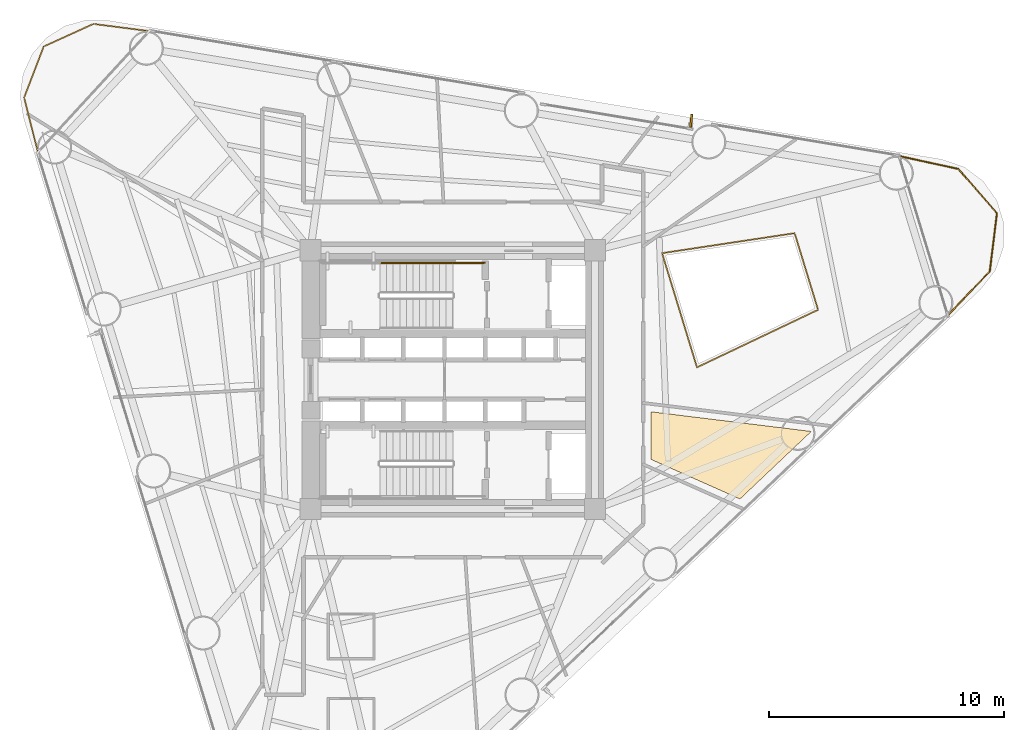
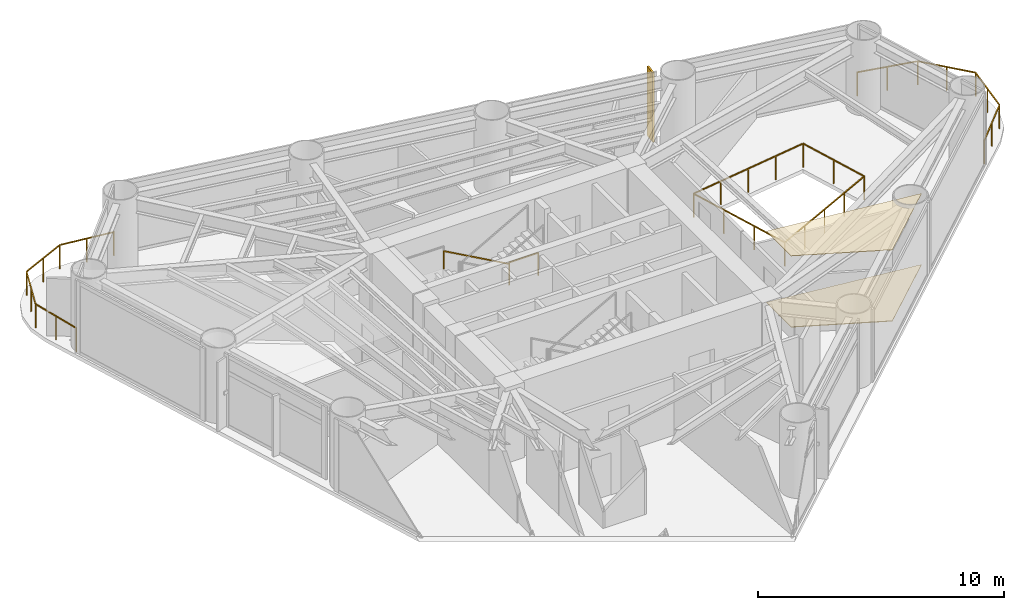
# One storey, part 10 of 10: 5 railings, 2 coverings, 1 shading device.
"""IFC4 building model written with IfcOpenShell, lengths in metres."""

from ifc_helpers import new_model, si_unit, direction, frame, origin, origin_2d, place, context, subcontext, project, spatial, polyline, rectangle, outline, extrude, source, transform, mapped, material, layer, layer_set, material_profile, profile_set, type_object, element, save


model = new_model("IFC4")

# Units and contexts
model_context = context("Model", 3, precision=1e-05, world=origin(), true_north=direction((0.0, 1.0)))
body_context = subcontext(model_context, "Body", "Model", "MODEL_VIEW")
ifc_project = project(units=[si_unit("LENGTHUNIT", "METRE"), si_unit("AREAUNIT", "SQUARE_METRE"), si_unit("VOLUMEUNIT", "CUBIC_METRE"), si_unit("PLANEANGLEUNIT", "RADIAN"), si_unit("MASSUNIT", "GRAM", prefix="KILO")], contexts=[model_context])

# Site, building, storey
site_placement = place(None, origin())
site = spatial("IfcSite", under=ifc_project, at=site_placement, CompositionType="ELEMENT")
building_placement = place(site_placement, origin())
building = spatial("IfcBuilding", under=site, at=building_placement, Name="Yunling Apex Tower", CompositionType="ELEMENT")
storey_placement = place(building_placement, frame((0.0, 0.0, 101.14990234375)))
storey = spatial("IfcBuildingStorey", under=building, at=storey_placement, Name="L25", CompositionType="ELEMENT", Elevation=101.14990234375)

# Coverings
ifc_material_1 = material(Name="Acoustic mineral fibre ceiling")
ifc_layer_1 = layer(ifc_material_1, 0.02490234375)
ifc_layer_set_1 = layer_set([ifc_layer_1], Name="Acoustic mineral fibre ceiling")
covering_type_1 = type_object("IfcCoveringType", Name="CV-CLG-1", PredefinedType="CEILING", material=ifc_layer_set_1)
covering_1_placement = place(storey_placement, frame((0.0, 0.0, 3.5400390625)))
element("IfcCovering", 1, at=covering_1_placement, inside=storey, type_object=covering_type_1, Name="CV-CL-SP-L25-R06", PredefinedType="CEILING", context=body_context, shape_type="SweptSolid", body=[
    extrude(outline(polyline([(15.240478515625, -2.203857421875), (12.21044921875, -5.0751953125), (8.429931640625, -3.39208984375), (8.429931640625, -1.36767578125), (15.240478515625, -2.203857421875)])), origin(), (0.0, 0.0, 1.0), 0.025146484375),
])
ifc_material_2 = material(Name="Polished granite stone", Category="masonry")
ifc_layer_2 = layer(ifc_material_2, 0.030029296875)
ifc_layer_set_2 = layer_set([ifc_layer_2], Name="Polished granite stone")
covering_type_2 = type_object("IfcCoveringType", Name="CV-FLR-1", PredefinedType="FLOORING", material=ifc_layer_set_2)
covering_2_placement = place(storey_placement, origin())
element("IfcCovering", 2, at=covering_2_placement, inside=storey, type_object=covering_type_2, Name="CV-FL-SP-L25-R06", PredefinedType="FLOORING", context=body_context, shape_type="SweptSolid", body=[
    extrude(outline(polyline([(15.240478515625, -2.203857421875), (12.21044921875, -5.0751953125), (8.429931640625, -3.39208984375), (8.429931640625, -1.36767578125), (15.240478515625, -2.203857421875)])), origin(), (0.0, 0.0, 1.0), 0.030029296875),
])

# Railings
ifc_material_3 = material(Name="Bronze anodised aluminium", Category="aluminium")
railing_type_1 = type_object("IfcRailingType", Name="RL-BAL-1200", PredefinedType="BALUSTRADE", material=ifc_material_3)
railing_1_placement = place(storey_placement, frame((18.976806640625, 9.5029296875, 0.0)))
element("IfcRailing", 3, at=railing_1_placement, inside=storey, type_object=railing_type_1, Name="RL-CRNSILL-L25-1", PredefinedType="BALUSTRADE", context=body_context, shape_type="SweptSolid", body=[
    extrude(rectangle(XDim=0.0439453125, YDim=0.0439453125, at=origin_2d()), origin(), (0.0, 0.0, 1.0), 1.199951171875),
    extrude(rectangle(XDim=0.0439453125, YDim=0.0439453125, at=origin_2d()), frame((2.5205078125, -0.54833984375, 0.0)), (0.0, 0.0, 1.0), 1.199951171875),
    extrude(rectangle(XDim=0.050048828125, YDim=0.050048828125, at=origin_2d()), frame((0.037353515625, -0.008056640625, 1.1748046875), z_axis=(0.977143892078, -0.212578959861, 0.0), x_axis=(0.212578959861, 0.977143892078, 0.0)), (0.0, 0.0, 1.0), 2.502685546875),
    extrude(rectangle(XDim=0.0439453125, YDim=0.0439453125, at=origin_2d()), frame((1.26025390625, -0.274169921875, 0.0)), (0.0, 0.0, 1.0), 1.14599609375),
    extrude(rectangle(XDim=0.0439453125, YDim=0.0439453125, at=origin_2d()), frame((4.156005859375, -2.430419921875, 0.0)), (0.0, 0.0, 1.0), 1.199951171875),
    extrude(rectangle(XDim=0.050048828125, YDim=0.050048828125, at=origin_2d()), frame((2.545654296875, -0.577392578125, 1.1748046875), z_axis=(0.655928991852, -0.754822600117, 0.0), x_axis=(0.754822600117, 0.655928991852, 0.0)), (0.0, 0.0, 1.0), 2.416748046875),
    extrude(rectangle(XDim=0.0439453125, YDim=0.0439453125, at=origin_2d()), frame((3.33837890625, -1.4892578125, 0.0)), (0.0, 0.0, 1.0), 1.14599609375),
    extrude(rectangle(XDim=0.0439453125, YDim=0.0439453125, at=origin_2d()), frame((3.8525390625, -4.905517578125, 0.0)), (0.0, 0.0, 1.0), 1.199951171875),
    extrude(rectangle(XDim=0.050048828125, YDim=0.050048828125, at=origin_2d()), frame((4.1513671875, -2.468505859375, 1.1748046875), z_axis=(-0.121696705052, -0.992567333726, 0.0), x_axis=(0.992567333726, -0.121696705052, 0.0)), (0.0, 0.0, 1.0), 2.4169921875),
    extrude(rectangle(XDim=0.0439453125, YDim=0.0439453125, at=origin_2d()), frame((4.00439453125, -3.66796875, 0.0)), (0.0, 0.0, 1.0), 1.14599609375),
    extrude(rectangle(XDim=0.0439453125, YDim=0.0439453125, at=origin_2d()), frame((2.06982421875, -6.76953125, 0.0)), (0.0, 0.0, 1.0), 1.199951171875),
    extrude(rectangle(XDim=0.050048828125, YDim=0.050048828125, at=origin_2d()), frame((3.825927734375, -4.93310546875, 1.1748046875), z_axis=(-0.691171065155, -0.722691191791, 0.0), x_axis=(0.722691191791, -0.691171065155, 0.0)), (0.0, 0.0, 1.0), 2.502685546875),
    extrude(rectangle(XDim=0.0439453125, YDim=0.0439453125, at=origin_2d()), frame((2.961181640625, -5.83740234375, 0.0)), (0.0, 0.0, 1.0), 1.14599609375),
])
railing_2_placement = place(storey_placement, frame((-17.63525390625, 9.6669921875, 0.0)))
element("IfcRailing", 4, at=railing_2_placement, inside=storey, type_object=railing_type_1, Name="RL-CRNSILL-L25-2", PredefinedType="BALUSTRADE", context=body_context, shape_type="SweptSolid", body=[
    extrude(rectangle(XDim=0.0439453125, YDim=0.0439453125, at=origin_2d()), origin(), (0.0, 0.0, 1.0), 1.199951171875),
    extrude(rectangle(XDim=0.0439453125, YDim=0.0439453125, at=origin_2d()), frame((-0.58642578125, 2.31884765625, 0.0)), (0.0, 0.0, 1.0), 1.199951171875),
    extrude(rectangle(XDim=0.050048828125, YDim=0.050048828125, at=origin_2d()), frame((-0.00927734375, 0.037109375, 1.1748046875), z_axis=(-0.245176585422, 0.96947843811, 0.0), x_axis=(-0.96947843811, -0.245176585422, 0.0)), (0.0, 0.0, 1.0), 2.315185546875),
    extrude(rectangle(XDim=0.0439453125, YDim=0.0439453125, at=origin_2d()), frame((-0.293212890625, 1.159423828125, 0.0)), (0.0, 0.0, 1.0), 1.14599609375),
    extrude(rectangle(XDim=0.0439453125, YDim=0.0439453125, at=origin_2d()), frame((0.2470703125, 4.49267578125, 0.0)), (0.0, 0.0, 1.0), 1.199951171875),
    extrude(rectangle(XDim=0.050048828125, YDim=0.050048828125, at=origin_2d()), frame((-0.57275390625, 2.354736328125, 1.1748046875), z_axis=(0.358009154452, 0.933718075935, 0.0), x_axis=(-0.933718075935, 0.358009154452, 0.0)), (0.0, 0.0, 1.0), 2.25146484375),
    extrude(rectangle(XDim=0.0439453125, YDim=0.0439453125, at=origin_2d()), frame((-0.169677734375, 3.40576171875, 0.0)), (0.0, 0.0, 1.0), 1.14599609375),
    extrude(rectangle(XDim=0.0439453125, YDim=0.0439453125, at=origin_2d()), frame((2.359375, 5.453369140625, 0.0)), (0.0, 0.0, 1.0), 1.199951171875),
    extrude(rectangle(XDim=0.050048828125, YDim=0.050048828125, at=origin_2d()), frame((0.281982421875, 4.508544921875, 1.1748046875), z_axis=(0.910276378893, 0.4140011039, 0.0), x_axis=(-0.4140011039, 0.910276378893, 0.0)), (0.0, 0.0, 1.0), 2.243896484375),
    extrude(rectangle(XDim=0.0439453125, YDim=0.0439453125, at=origin_2d()), frame((1.30322265625, 4.97314453125, 0.0)), (0.0, 0.0, 1.0), 1.14599609375),
    extrude(rectangle(XDim=0.0439453125, YDim=0.0439453125, at=origin_2d()), frame((4.732666015625, 5.14794921875, 0.0)), (0.0, 0.0, 1.0), 1.199951171875),
    extrude(rectangle(XDim=0.050048828125, YDim=0.050048828125, at=origin_2d()), frame((2.3974609375, 5.448486328125, 1.1748046875), z_axis=(0.991820835982, -0.127637883532, 0.0), x_axis=(0.127637883532, 0.991820835982, 0.0)), (0.0, 0.0, 1.0), 2.316162109375),
    extrude(rectangle(XDim=0.0439453125, YDim=0.0439453125, at=origin_2d()), frame((3.5458984375, 5.30078125, 0.0)), (0.0, 0.0, 1.0), 1.14599609375),
])
railing_3_placement = place(storey_placement, frame((8.897216796875, 5.375244140625, 0.0)))
element("IfcRailing", 5, at=railing_3_placement, inside=storey, type_object=railing_type_1, Name="RL-TATR-L25", PredefinedType="BALUSTRADE", context=body_context, shape_type="SweptSolid", body=[
    extrude(rectangle(XDim=0.0439453125, YDim=0.0439453125, at=origin_2d()), origin(), (0.0, 0.0, 1.0), 1.199951171875),
    extrude(rectangle(XDim=0.0439453125, YDim=0.0439453125, at=origin_2d()), frame((5.637939453125, 0.849853515625, 0.0)), (0.0, 0.0, 1.0), 1.199951171875),
    extrude(rectangle(XDim=0.050048828125, YDim=0.050048828125, at=origin_2d()), frame((0.037841796875, 0.005615234375, 1.1748046875), z_axis=(0.988828994204, 0.149054420336, 0.0), x_axis=(-0.149054420336, 0.988828994204, 0.0)), (0.0, 0.0, 1.0), 5.625),
    extrude(rectangle(XDim=0.0439453125, YDim=0.0439453125, at=origin_2d()), frame((1.409423828125, 0.21240234375, 0.0)), (0.0, 0.0, 1.0), 1.14599609375),
    extrude(rectangle(XDim=0.0439453125, YDim=0.0439453125, at=origin_2d()), frame((2.81884765625, 0.4248046875, 0.0)), (0.0, 0.0, 1.0), 1.14599609375),
    extrude(rectangle(XDim=0.0439453125, YDim=0.0439453125, at=origin_2d()), frame((4.228515625, 0.637451171875, 0.0)), (0.0, 0.0, 1.0), 1.14599609375),
    extrude(rectangle(XDim=0.0439453125, YDim=0.0439453125, at=origin_2d()), frame((6.6337890625, -2.408203125, 0.0)), (0.0, 0.0, 1.0), 1.199951171875),
    extrude(rectangle(XDim=0.050048828125, YDim=0.050048828125, at=origin_2d()), frame((5.649169921875, 0.813232421875, 1.1748046875), z_axis=(0.292307744699, -0.956324308166, 0.0), x_axis=(0.956324308166, 0.292307744699, 0.0)), (0.0, 0.0, 1.0), 3.330078125),
    extrude(rectangle(XDim=0.0439453125, YDim=0.0439453125, at=origin_2d()), frame((6.1357421875, -0.779296875, 0.0)), (0.0, 0.0, 1.0), 1.14599609375),
    extrude(rectangle(XDim=0.0439453125, YDim=0.0439453125, at=origin_2d()), frame((1.484619140625, -4.856201171875, 0.0)), (0.0, 0.0, 1.0), 1.199951171875),
    extrude(rectangle(XDim=0.050048828125, YDim=0.050048828125, at=origin_2d()), frame((6.59912109375, -2.424560546875, 1.1748046875), z_axis=(-0.903131826937, -0.429363369622, 0.0), x_axis=(0.429363369622, -0.903131826937, 0.0)), (0.0, 0.0, 1.0), 5.624755859375),
    extrude(rectangle(XDim=0.0439453125, YDim=0.0439453125, at=origin_2d()), frame((5.346435546875, -3.020263671875, 0.0)), (0.0, 0.0, 1.0), 1.14599609375),
    extrude(rectangle(XDim=0.0439453125, YDim=0.0439453125, at=origin_2d()), frame((4.05908203125, -3.63232421875, 0.0)), (0.0, 0.0, 1.0), 1.14599609375),
    extrude(rectangle(XDim=0.0439453125, YDim=0.0439453125, at=origin_2d()), frame((2.77197265625, -4.244140625, 0.0)), (0.0, 0.0, 1.0), 1.14599609375),
    extrude(rectangle(XDim=0.050048828125, YDim=0.050048828125, at=origin_2d()), frame((1.473388671875, -4.819580078125, 1.1748046875), z_axis=(-0.292358998686, 0.956308640496, 0.0), x_axis=(-0.956308640496, -0.292358998686, 0.0)), (0.0, 0.0, 1.0), 5.00146484375),
    extrude(rectangle(XDim=0.0439453125, YDim=0.0439453125, at=origin_2d()), frame((0.98974609375, -3.237548828125, 0.0)), (0.0, 0.0, 1.0), 1.14599609375),
    extrude(rectangle(XDim=0.0439453125, YDim=0.0439453125, at=origin_2d()), frame((0.494873046875, -1.61865234375, 0.0)), (0.0, 0.0, 1.0), 1.14599609375),
])
ifc_material_4 = material(Name="Steel Q355B", Category="steel")
railing_type_2 = type_object("IfcRailingType", Name="RL-GRD-1150", PredefinedType="GUARDRAIL", material=ifc_material_4)
railing_4_placement = place(storey_placement, frame((1.35009765625, 4.9599609375, 0.0)))
element("IfcRailing", 6, at=railing_4_placement, inside=storey, type_object=railing_type_2, Name="L25 ST-1 stair guard 6", PredefinedType="GUARDRAIL", context=body_context, shape_type="SweptSolid", body=[
    extrude(rectangle(XDim=0.0439453125, YDim=0.0439453125, at=origin_2d()), origin(), (0.0, 0.0, 1.0), 1.14990234375),
    extrude(rectangle(XDim=0.0439453125, YDim=0.0439453125, at=origin_2d()), frame((-1.360107421875, 0.0, 0.0)), (0.0, 0.0, 1.0), 1.14990234375),
    extrude(rectangle(XDim=0.050048828125, YDim=0.050048828125, at=origin_2d()), frame((-0.038330078125, 0.0, 1.125), z_axis=(-1.0, 0.0, 0.0), x_axis=(0.0, -1.0, 0.0)), (0.0, 0.0, 1.0), 1.283447265625),
])
ifc_material_5 = material(Name="Silver anodised aluminium", Category="aluminium")
railing_type_3 = type_object("IfcRailingType", Name="RL-HND-900", PredefinedType="HANDRAIL", material=ifc_material_5)
railing_5_placement = place(storey_placement, frame((-0.010009765625, 4.9599609375, 0.15625)))
element("IfcRailing", 7, at=railing_5_placement, inside=storey, type_object=railing_type_3, Name="L25 ST-1 stair handrail 1", PredefinedType="HANDRAIL", context=body_context, shape_type="SweptSolid", body=[
    extrude(rectangle(XDim=0.0439453125, YDim=0.0439453125, at=origin_2d()), origin(), (0.0, 0.0, 1.0), 0.919921875),
    extrude(rectangle(XDim=0.0439453125, YDim=0.0439453125, at=origin_2d()), frame((-3.080078125, 0.0, 1.71875)), (0.0, 0.0, 1.0), 0.919921875),
    extrude(rectangle(XDim=0.050048828125, YDim=0.050048828125, at=origin_2d()), frame((-0.033447265625, 0.0, 0.91357421875), z_axis=(-0.873241540666, 0.0, 0.487287606713), x_axis=(0.0, -1.0, 0.0)), (0.0, 0.0, 1.0), 3.450439453125),
])

# Shading device
ifc_material_profile = material_profile(ifc_material_3, rectangle(XDim=0.0849609375, YDim=0.550048828125, at=origin_2d()))
ifc_profile_set = profile_set([ifc_material_profile], Name="Bronze anodised aluminium")
shading_device_type = type_object("IfcShadingDeviceType", Name="FN-BRZ-3", PredefinedType="USERDEFINED", material=ifc_profile_set)
shared_shape = source(origin(), body_context, "Body", "SweptSolid", [
    extrude(rectangle(XDim=0.0849609375, YDim=0.550048828125, at=origin_2d()), origin(), (0.0, 0.0, 1.0), 3.445068359375),
])
shading_device_placement = place(storey_placement, frame((10.135498046875, 11.00146484375, 0.06005859375), z_axis=(0.0, 0.0, 1.0), x_axis=(-0.995038220239, 0.099493418189, 0.0)))
element("IfcShadingDevice", 8, at=shading_device_placement, inside=storey, type_object=shading_device_type, Name="CW-L25-F2-B2-FIN-01", ObjectType="FIN", PredefinedType="USERDEFINED", context=body_context, shape_type="MappedRepresentation", body=[
    mapped(shared_shape, transform((0.0, 0.0, 0.0), scale=1.0)),
])

save(model, "model.ifc")
